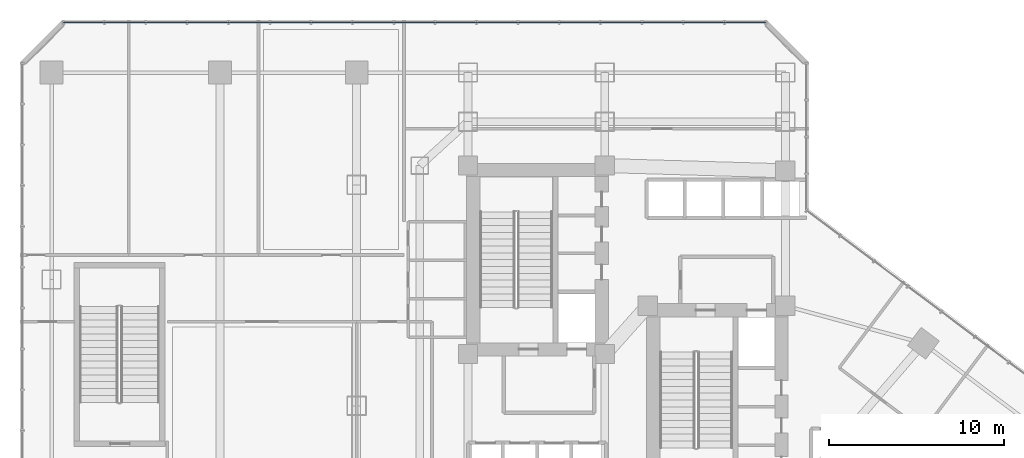
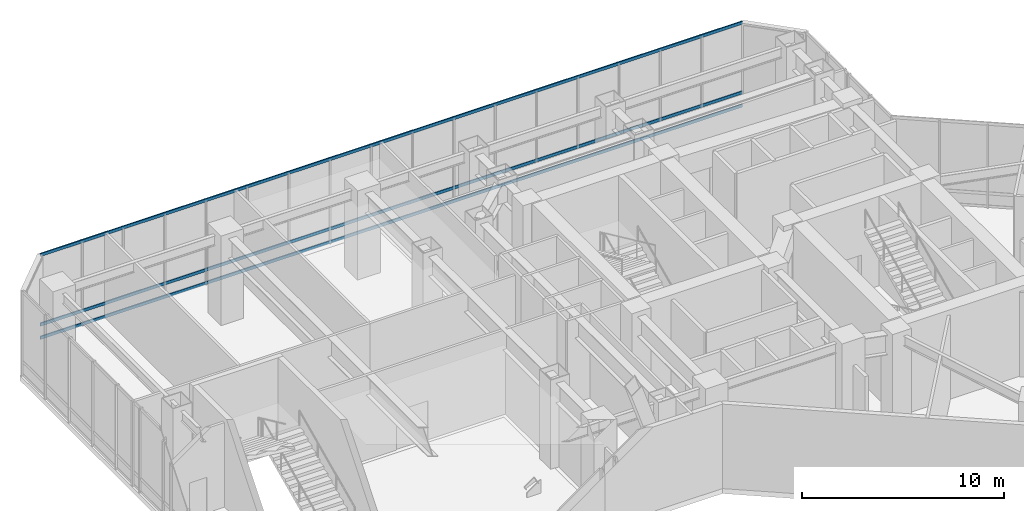
# One storey, part 17 of 35: 3 members, 1 element without a shape of its own.
"""IFC4 building model written with IfcOpenShell, lengths in metres."""

from ifc_helpers import new_model, si_unit, direction, frame, origin, origin_2d, place, context, subcontext, project, spatial, hollow_rectangle, extrude, material, layer, layer_set, material_profile, profile_set, type_object, element, aggregate, save


model = new_model("IFC4")

# Units and contexts
model_context = context("Model", 3, precision=1e-05, world=origin(), true_north=direction((0.0, 1.0)))
body_context = subcontext(model_context, "Body", "Model", "MODEL_VIEW")
ifc_project = project(units=[si_unit("LENGTHUNIT", "METRE"), si_unit("AREAUNIT", "SQUARE_METRE"), si_unit("VOLUMEUNIT", "CUBIC_METRE"), si_unit("PLANEANGLEUNIT", "RADIAN"), si_unit("MASSUNIT", "GRAM", prefix="KILO")], contexts=[model_context])

# Site, building, storey
site_placement = place(None, origin())
site = spatial("IfcSite", under=ifc_project, at=site_placement, CompositionType="ELEMENT")
building_placement = place(site_placement, origin())
building = spatial("IfcBuilding", under=site, at=building_placement, Name="Hatsunagi Terrace Concourse", CompositionType="ELEMENT")
storey_placement = place(building_placement, frame((0.0, 0.0, 10.800048828125)))
storey = spatial("IfcBuildingStorey", under=building, at=storey_placement, Name="L03", CompositionType="ELEMENT", Elevation=10.800048828125)

# Curtain wall, members
ifc_material_1 = material(Name="Anodised Aluminium Alloy 6063-T5", Category="aluminium")
ifc_layer = layer(ifc_material_1, 0.199951171875)
ifc_layer_set = layer_set([ifc_layer], Name="PodiumStorefront_CW01")
curtain_wall_type = type_object("IfcCurtainWallType", Name="PodiumStorefront_CW01", PredefinedType="NOTDEFINED", material=ifc_layer_set)
curtain_wall_placement = place(storey_placement, origin())
curtain_wall = element("IfcCurtainWall", 1, at=curtain_wall_placement, inside=storey, type_object=curtain_wall_type, Name="Unitised Curtain Wall CW-01 CW-L03-12", PredefinedType="NOTDEFINED")
ifc_material_2 = material(Name="Anodised Aluminium Alloy 6063-T5", Category="aluminium")
ifc_material_profile = material_profile(ifc_material_2, hollow_rectangle(XDim=0.070068359375, YDim=0.179931640625, WallThickness=0.00390625, at=origin_2d()), Name="ALU-TRN-180x70x4")
ifc_profile_set = profile_set([ifc_material_profile], Name="Anodised Aluminium Alloy 6063-T5")
member_type = type_object("IfcMemberType", Name="CurtainWallTransom_Heavy_180x70", PredefinedType="USERDEFINED", material=ifc_profile_set)
member_1_placement = place(storey_placement, frame((2.4580078125, 51.4599609375, 0.050048828125), z_axis=(1.0, 0.0, 0.0), x_axis=(0.0, 1.0, 0.0)))
member_1 = element("IfcMember", 2, at=member_1_placement, type_object=member_type, Name="Curtain Wall Transom TRN-01", ObjectType="TRANSOM", PredefinedType="USERDEFINED", context=body_context, shape_type="SweptSolid", body=[
    extrude(hollow_rectangle(XDim=0.070068359375, YDim=0.179931640625, WallThickness=0.00390625, at=origin_2d()), origin(), (0.0, 0.0, 1.0), 40.083984375),
])
member_2_placement = place(storey_placement, frame((2.4580078125, 51.4599609375, 0.849853515625), z_axis=(1.0, 0.0, 0.0), x_axis=(0.0, 1.0, 0.0)))
member_2 = element("IfcMember", 3, at=member_2_placement, type_object=member_type, Name="Curtain Wall Transom TRN-01", ObjectType="TRANSOM", PredefinedType="USERDEFINED", context=body_context, shape_type="SweptSolid", body=[
    extrude(hollow_rectangle(XDim=0.070068359375, YDim=0.179931640625, WallThickness=0.00390625, at=origin_2d()), origin(), (0.0, 0.0, 1.0), 40.083984375),
])
member_3_placement = place(storey_placement, frame((2.4580078125, 51.4599609375, 5.050048828125), z_axis=(1.0, 0.0, 0.0), x_axis=(0.0, 1.0, 0.0)))
member_3 = element("IfcMember", 4, at=member_3_placement, type_object=member_type, Name="Curtain Wall Transom TRN-01", ObjectType="TRANSOM", PredefinedType="USERDEFINED", context=body_context, shape_type="SweptSolid", body=[
    extrude(hollow_rectangle(XDim=0.070068359375, YDim=0.179931640625, WallThickness=0.00390625, at=origin_2d()), origin(), (0.0, 0.0, 1.0), 40.083984375),
])
aggregate(curtain_wall, [member_1, member_2, member_3])

save(model, "model.ifc")
